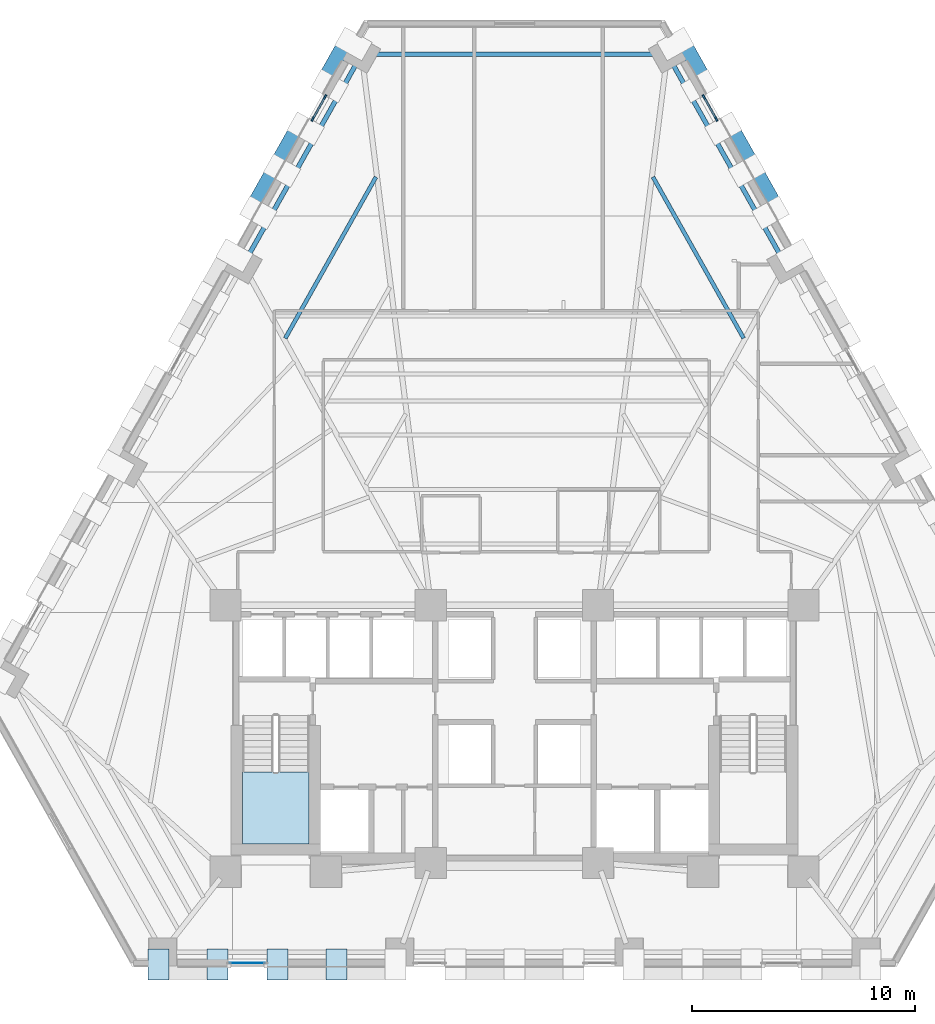
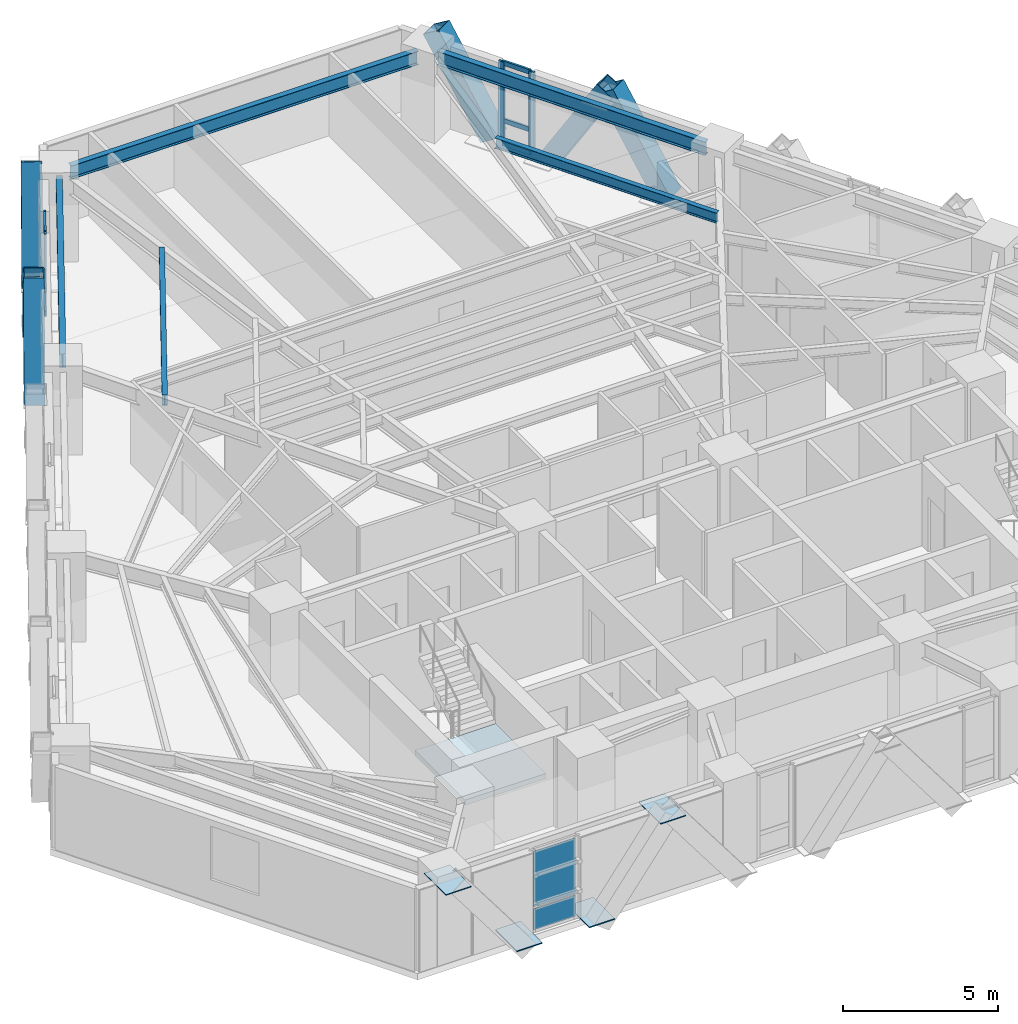
# One storey, part 5 of 13: 16 members, 6 plates, 5 beams, 1 slab, 4 elements without a shape of their own.
"""IFC4 building model written with IfcOpenShell, lengths in metres."""

from ifc_helpers import new_model, si_unit, direction, frame, origin, origin_2d, place, context, subcontext, project, spatial, polyline, rectangle, hollow_rectangle, i_section, outline, extrude, material, layer, layer_set, material_profile, profile_set, type_object, element, aggregate, save


model = new_model("IFC4")

# Units and contexts
model_context = context("Model", 3, precision=1e-05, world=origin(), true_north=direction((0.0, 1.0)))
body_context = subcontext(model_context, "Body", "Model", "MODEL_VIEW")
ifc_project = project(units=[si_unit("LENGTHUNIT", "METRE"), si_unit("AREAUNIT", "SQUARE_METRE"), si_unit("VOLUMEUNIT", "CUBIC_METRE"), si_unit("PLANEANGLEUNIT", "RADIAN"), si_unit("MASSUNIT", "GRAM", prefix="KILO")], contexts=[model_context])

# Site, building, storey
site_placement = place(None, origin())
site = spatial("IfcSite", under=ifc_project, at=site_placement, CompositionType="ELEMENT")
building_placement = place(site_placement, origin())
building = spatial("IfcBuilding", under=site, at=building_placement, Name="Quenlor Broadcast Tower", CompositionType="ELEMENT")
storey_placement = place(building_placement, frame((0.0, 0.0, 34.60009765625)))
storey = spatial("IfcBuildingStorey", under=building, at=storey_placement, Name="L08", CompositionType="ELEMENT", Elevation=34.60009765625)

# Curtain wall, members
ifc_material_1 = material(Name="Architectural Terracotta and Low-E Glazing", Category="masonry")
curtain_wall_type = type_object("IfcCurtainWallType", Name="Unitised Terracotta Curtain Wall System Z1", PredefinedType="NOTDEFINED", material=ifc_material_1)
curtain_wall_1_placement = place(storey_placement, origin())
curtain_wall_1 = element("IfcCurtainWall", 1, at=curtain_wall_1_placement, inside=storey, type_object=curtain_wall_type, Name="L08 Curtain Wall CW1 (L08-NEA-G1)", PredefinedType="NOTDEFINED")
ifc_material_2 = material(Name="Aluminium 6063-T6", Category="aluminium")
ifc_material_profile_1 = material_profile(ifc_material_2, rectangle(XDim=0.080078125, YDim=0.219970703125, at=origin_2d()))
ifc_profile_set_1 = profile_set([ifc_material_profile_1], Name="Aluminium 6063-T6 MULL80x220")
member_type_1 = type_object("IfcMemberType", Name="CW1 Aluminium Mullion MULL_CW1", PredefinedType="MULLION", material=ifc_profile_set_1)
member_1_placement = place(storey_placement, frame((8.49072265625, 17.979248046875, 0.0), z_axis=(0.0, 0.0, 1.0), x_axis=(0.871602077703, 0.490214053392, 0.0)))
member_1 = element("IfcMember", 2, at=member_1_placement, type_object=member_type_1, Name="CW1 mullion 1", PredefinedType="MULLION", context=body_context, shape_type="SweptSolid", body=[
    extrude(rectangle(XDim=0.080078125, YDim=0.219970703125, at=origin_2d()), origin(), (0.0, 0.0, 1.0), 3.25),
])
member_2_placement = place(storey_placement, frame((9.043212890625, 16.99658203125, 0.0), z_axis=(0.0, 0.0, 1.0), x_axis=(0.871602077703, 0.490214053392, 0.0)))
member_2 = element("IfcMember", 3, at=member_2_placement, type_object=member_type_1, Name="CW1 mullion 2", PredefinedType="MULLION", context=body_context, shape_type="SweptSolid", body=[
    extrude(rectangle(XDim=0.080078125, YDim=0.219970703125, at=origin_2d()), origin(), (0.0, 0.0, 1.0), 3.25),
])

curtain_wall_2_placement = place(storey_placement, origin())
curtain_wall_2 = element("IfcCurtainWall", 4, at=curtain_wall_2_placement, inside=storey, type_object=curtain_wall_type, Name="L08 Curtain Wall CW1 (L08-NWC-G1)", PredefinedType="NOTDEFINED")
member_3_placement = place(storey_placement, frame((-9.043212890625, 16.99658203125, 0.0), z_axis=(0.0, 0.0, 1.0), x_axis=(-0.871602077703, 0.490214053392, 0.0)))
member_3 = element("IfcMember", 5, at=member_3_placement, type_object=member_type_1, Name="CW1 mullion 1", PredefinedType="MULLION", context=body_context, shape_type="SweptSolid", body=[
    extrude(rectangle(XDim=0.080078125, YDim=0.219970703125, at=origin_2d()), origin(), (0.0, 0.0, 1.0), 3.25),
])
member_4_placement = place(storey_placement, frame((-8.49072265625, 17.979248046875, 0.0), z_axis=(0.0, 0.0, 1.0), x_axis=(-0.871602077703, 0.490214053392, 0.0)))
member_4 = element("IfcMember", 6, at=member_4_placement, type_object=member_type_1, Name="CW1 mullion 2", PredefinedType="MULLION", context=body_context, shape_type="SweptSolid", body=[
    extrude(rectangle(XDim=0.080078125, YDim=0.219970703125, at=origin_2d()), origin(), (0.0, 0.0, 1.0), 3.25),
])

# Member
ifc_material_3 = material(Name="Aluminium 6063-T6", Category="aluminium")
ifc_material_profile_2 = material_profile(ifc_material_3, rectangle(XDim=0.080078125, YDim=0.179931640625, at=origin_2d()))
ifc_profile_set_2 = profile_set([ifc_material_profile_2], Name="Aluminium 6063-T6 TRAN80x180")
member_type_2 = type_object("IfcMemberType", Name="CW1 Aluminium Transom TRAN_CW1", PredefinedType="USERDEFINED", material=ifc_profile_set_2)
member_5_placement = place(storey_placement, frame((8.51025390625, 17.9443359375, 0.039794921875), z_axis=(0.490228036821, -0.871594212874, 0.0), x_axis=(0.871594212874, 0.490228036821, 0.0)))
member_5 = element("IfcMember", 7, at=member_5_placement, type_object=member_type_2, Name="CW1 transom 1.1", ObjectType="TRANSOM", PredefinedType="USERDEFINED", context=body_context, shape_type="SweptSolid", body=[
    extrude(rectangle(XDim=0.080078125, YDim=0.179931640625, at=origin_2d()), origin(), (0.0, 0.0, 1.0), 1.04736328125),
])

member_6_placement = place(storey_placement, frame((8.51025390625, 17.9443359375, 0.949951171875), z_axis=(0.490228036821, -0.871594212874, 0.0), x_axis=(0.871594212874, 0.490228036821, 0.0)))
member_6 = element("IfcMember", 8, at=member_6_placement, type_object=member_type_2, Name="CW1 transom 1.2", ObjectType="TRANSOM", PredefinedType="USERDEFINED", context=body_context, shape_type="SweptSolid", body=[
    extrude(rectangle(XDim=0.080078125, YDim=0.179931640625, at=origin_2d()), origin(), (0.0, 0.0, 1.0), 1.04736328125),
])

member_7_placement = place(storey_placement, frame((8.51025390625, 17.9443359375, 3.2099609375), z_axis=(0.490228036821, -0.871594212874, 0.0), x_axis=(0.871594212874, 0.490228036821, 0.0)))
member_7 = element("IfcMember", 9, at=member_7_placement, type_object=member_type_2, Name="CW1 transom 1.3", ObjectType="TRANSOM", PredefinedType="USERDEFINED", context=body_context, shape_type="SweptSolid", body=[
    extrude(rectangle(XDim=0.080078125, YDim=0.179931640625, at=origin_2d()), origin(), (0.0, 0.0, 1.0), 1.04736328125),
])

aggregate(curtain_wall_1, [member_1, member_2, member_5, member_6, member_7])

member_8_placement = place(storey_placement, frame((-9.023681640625, 17.031494140625, 0.039794921875), z_axis=(0.490228036821, 0.871594212874, 0.0), x_axis=(-0.871594212874, 0.490228036821, 0.0)))
member_8 = element("IfcMember", 10, at=member_8_placement, type_object=member_type_2, Name="CW1 transom 1.1", ObjectType="TRANSOM", PredefinedType="USERDEFINED", context=body_context, shape_type="SweptSolid", body=[
    extrude(rectangle(XDim=0.080078125, YDim=0.179931640625, at=origin_2d()), origin(), (0.0, 0.0, 1.0), 1.04736328125),
])

member_9_placement = place(storey_placement, frame((-9.023681640625, 17.031494140625, 0.949951171875), z_axis=(0.490228036821, 0.871594212874, 0.0), x_axis=(-0.871594212874, 0.490228036821, 0.0)))
member_9 = element("IfcMember", 11, at=member_9_placement, type_object=member_type_2, Name="CW1 transom 1.2", ObjectType="TRANSOM", PredefinedType="USERDEFINED", context=body_context, shape_type="SweptSolid", body=[
    extrude(rectangle(XDim=0.080078125, YDim=0.179931640625, at=origin_2d()), origin(), (0.0, 0.0, 1.0), 1.04736328125),
])

member_10_placement = place(storey_placement, frame((-9.023681640625, 17.031494140625, 3.2099609375), z_axis=(0.490228036821, 0.871594212874, 0.0), x_axis=(-0.871594212874, 0.490228036821, 0.0)))
member_10 = element("IfcMember", 12, at=member_10_placement, type_object=member_type_2, Name="CW1 transom 1.3", ObjectType="TRANSOM", PredefinedType="USERDEFINED", context=body_context, shape_type="SweptSolid", body=[
    extrude(rectangle(XDim=0.080078125, YDim=0.179931640625, at=origin_2d()), origin(), (0.0, 0.0, 1.0), 1.04736328125),
])

aggregate(curtain_wall_2, [member_3, member_4, member_8, member_9, member_10])

# Members
ifc_material_4 = material(Name="Steel S355", Category="steel")
ifc_material_profile_3 = material_profile(ifc_material_4, hollow_rectangle(XDim=0.679931640625, YDim=0.679931640625, WallThickness=0.034912109375, at=origin_2d()))
ifc_profile_set_3 = profile_set([ifc_material_profile_3], Name="Steel S355 RHS680x680x35")
member_type_3 = type_object("IfcMemberType", Name="Perimeter Diagonal Lattice Brace Z1 Steel S355 RHS680x35", PredefinedType="BRACE", material=ifc_profile_set_3)
for number, where, z_axis, x_axis, name in (
    (13, (9.650390625, 16.722900390625, -0.1201171875), (0.256375341489, -0.45579159737, 0.852364771705), (0.871581609758, 0.490250443683, 0.0), "L08 Perimeter Diamond Lattice NE-C1S"),
    (14, (8.572021484375, 18.64013671875, -0.1201171875), (-0.256375341489, 0.45579159737, 0.852364771705), (-0.871581609758, -0.490250443683, 0.0), "L08 Perimeter Diamond Lattice NE-C1B"),
    (15, (11.768798828125, 12.95703125, -0.1201171875), (-0.256375341489, 0.45579159737, 0.852364771705), (-0.871581609758, -0.490250443683, 0.0), "L08 Perimeter Diamond Lattice NE-C2B"),
    (16, (-11.768798828125, 12.95703125, -0.1201171875), (0.256375341489, 0.45579159737, 0.852364771705), (-0.871581609758, 0.490250443683, 0.0), "L08 Perimeter Diamond Lattice NW-C4S"),
    (17, (-8.572021484375, 18.64013671875, -0.1201171875), (0.256375341489, 0.45579159737, 0.852364771705), (-0.871581609758, 0.490250443683, 0.0), "L08 Perimeter Diamond Lattice NW-C5S"),
    (18, (-9.650390625, 16.722900390625, -0.1201171875), (-0.256375341489, -0.45579159737, 0.852364771705), (0.871581609758, -0.490250443683, 0.0), "L08 Perimeter Diamond Lattice NW-C5B"),
):
    element("IfcMember", number, at=place(storey_placement, frame(where, z_axis=z_axis, x_axis=x_axis)), inside=storey, type_object=member_type_3, Name=name, PredefinedType="BRACE", context=body_context, shape_type="SweptSolid", body=[
        extrude(hollow_rectangle(XDim=0.679931640625, YDim=0.679931640625, WallThickness=0.034912109375, at=origin_2d()), origin(), (0.0, 0.0, 1.0), 4.106201171875),
    ])

# Beams
ifc_material_5 = material(Name="Steel S355", Category="steel")
ifc_material_profile_4 = material_profile(ifc_material_5, i_section(OverallWidth=0.208984375, OverallDepth=0.532958984375, WebThickness=0.01025390625, FlangeThickness=0.015625, FilletRadius=0.013916015625, at=origin_2d()))
ifc_profile_set_4 = profile_set([ifc_material_profile_4], Name="Steel S355 530UB92.4")
beam_type_1 = type_object("IfcBeamType", Name="Perimeter Spandrel Beam Z1 Steel S355 530UB92.4", PredefinedType="SPANDREL", material=ifc_profile_set_4)
beam_1_placement = place(storey_placement, frame((11.962158203125, 10.80810546875, 2.9833984375), z_axis=(-0.490257767622, 0.871577490121, 0.0), x_axis=(-0.871577490121, -0.490257767622, 0.0)))
element("IfcBeam", 19, at=beam_1_placement, inside=storey, type_object=beam_type_1, Name="L08 Spandrel Beam NE3-NE4", PredefinedType="SPANDREL", context=body_context, shape_type="SweptSolid", body=[
    extrude(i_section(OverallWidth=0.208984375, OverallDepth=0.532958984375, WebThickness=0.01025390625, FlangeThickness=0.015625, FilletRadius=0.013916015625, at=origin_2d()), origin(), (0.0, 0.0, 1.0), 10.015380859375),
])
beam_2_placement = place(storey_placement, frame((6.44091796875, 19.894775390625, 2.9833984375), z_axis=(-1.0, 0.0, 0.0), x_axis=(0.0, -1.0, 0.0)))
element("IfcBeam", 20, at=beam_2_placement, inside=storey, type_object=beam_type_1, Name="L08 Spandrel Beam NE4-NW1", PredefinedType="SPANDREL", context=body_context, shape_type="SweptSolid", body=[
    extrude(i_section(OverallWidth=0.208984375, OverallDepth=0.532958984375, WebThickness=0.01025390625, FlangeThickness=0.015625, FilletRadius=0.013916015625, at=origin_2d()), origin(), (0.0, 0.0, 1.0), 12.8818359375),
])
beam_3_placement = place(storey_placement, frame((-7.052001953125, 19.537353515625, 2.9833984375), z_axis=(-0.490257767622, -0.871577490121, 0.0), x_axis=(0.871577490121, -0.490257767622, 0.0)))
element("IfcBeam", 21, at=beam_3_placement, inside=storey, type_object=beam_type_1, Name="L08 Spandrel Beam NW1-NW2", PredefinedType="SPANDREL", context=body_context, shape_type="SweptSolid", body=[
    extrude(i_section(OverallWidth=0.208984375, OverallDepth=0.532958984375, WebThickness=0.01025390625, FlangeThickness=0.015625, FilletRadius=0.013916015625, at=origin_2d()), origin(), (0.0, 0.0, 1.0), 10.015380859375),
])
ifc_material_6 = material(Name="Steel S355", Category="steel")
ifc_material_profile_5 = material_profile(ifc_material_6, i_section(OverallWidth=0.177978515625, OverallDepth=0.406494140625, WebThickness=0.0078125, FlangeThickness=0.0126953125, FilletRadius=0.011474609375, at=origin_2d()))
ifc_profile_set_5 = profile_set([ifc_material_profile_5], Name="Steel S355 410UB59.7")
beam_type_2 = type_object("IfcBeamType", Name="Tower Composite Joist Z1 Steel S355 410UB59.7", PredefinedType="JOIST", material=ifc_profile_set_5)
for number, where, z_axis, x_axis, name in (
    (22, (-6.2080078125, 14.39208984375, 3.046630859375), (-0.490248658014, -0.871582614166, 0.0), (0.871582614166, -0.490248658014, 0.0), "L08 Secondary Composite Joist 27"),
    (23, (6.2080078125, 14.39208984375, 3.046630859375), (0.490248658014, -0.871582614166, 0.0), (0.871582614166, 0.490248658014, 0.0), "L08 Secondary Composite Joist 30"),
):
    element("IfcBeam", number, at=place(storey_placement, frame(where, z_axis=z_axis, x_axis=x_axis)), inside=storey, type_object=beam_type_2, Name=name, PredefinedType="JOIST", context=body_context, shape_type="SweptSolid", body=[
        extrude(i_section(OverallWidth=0.177978515625, OverallDepth=0.406494140625, WebThickness=0.0078125, FlangeThickness=0.0126953125, FilletRadius=0.011474609375, at=origin_2d()), origin(), (0.0, 0.0, 1.0), 8.29150390625),
    ])

# Curtain wall, plates
curtain_wall_3_placement = place(storey_placement, origin())
curtain_wall_3 = element("IfcCurtainWall", 24, at=curtain_wall_3_placement, inside=storey, type_object=curtain_wall_type, Name="L08 Curtain Wall CW1 (L08-SC-G1)", PredefinedType="NOTDEFINED")
ifc_material_7 = material(Name="Double Glazed Low-E Solar Glass", Category="glass")
ifc_layer_1 = layer(ifc_material_7, 0.031982421875)
ifc_layer_set_1 = layer_set([ifc_layer_1], Name="CW1 Double Glazed Vision Panel 32")
plate_type_1 = type_object("IfcPlateType", Name="CW1 Double Glazed Vision Panel 32", PredefinedType="CURTAIN_PANEL", material=ifc_layer_set_1)
plate_1_placement = place(storey_placement, frame((-11.970703125, -20.840087890625, 0.079833984375), z_axis=(0.0, 0.0, 1.0), x_axis=(-1.0, 0.0, 0.0)))
plate_1 = element("IfcPlate", 25, at=plate_1_placement, type_object=plate_type_1, Name="CW1 panel 1.1", PredefinedType="CURTAIN_PANEL", context=body_context, shape_type="SweptSolid", body=[
    extrude(rectangle(XDim=1.568359375, YDim=0.031982421875, at=origin_2d()), origin(), (0.0, 0.0, 1.0), 0.830078125),
])
plate_2_placement = place(storey_placement, frame((-11.970703125, -20.840087890625, 0.98974609375), z_axis=(0.0, 0.0, 1.0), x_axis=(-1.0, 0.0, 0.0)))
plate_2 = element("IfcPlate", 26, at=plate_2_placement, type_object=plate_type_1, Name="CW1 panel 1.2", PredefinedType="CURTAIN_PANEL", context=body_context, shape_type="SweptSolid", body=[
    extrude(rectangle(XDim=1.568359375, YDim=0.031982421875, at=origin_2d()), origin(), (0.0, 0.0, 1.0), 2.179931640625),
])
aggregate(curtain_wall_3, [plate_1, plate_2])

# Stair, slab
ifc_material_8 = material(Name="Precast concrete C40/50", Category="concrete")
stair_type = type_object("IfcStairType", Name="Precast Concrete C40/50 Dogleg Stair H350", PredefinedType="HALF_TURN_STAIR", material=ifc_material_8)
stair_placement = place(storey_placement, origin())
stair = element("IfcStair", 27, at=stair_placement, inside=storey, type_object=stair_type, Name="L08 West Core Fire-Isolated Exit Stair ST-1", PredefinedType="HALF_TURN_STAIR")
ifc_material_9 = material(Name="Precast concrete C40/50", Category="concrete")
ifc_layer_2 = layer(ifc_material_9, 0.199951171875)
ifc_layer_set_2 = layer_set([ifc_layer_2], Name="Precast Concrete C40/50 Stair Landing Slab 200")
slab_type = type_object("IfcSlabType", Name="Precast Concrete C40/50 Stair Landing Slab 200", PredefinedType="LANDING", material=ifc_layer_set_2)
slab_placement = place(storey_placement, frame((0.0, 0.0, 1.5498046875)))
slab = element("IfcSlab", 28, at=slab_placement, type_object=slab_type, Name="ST-1 landing 1", PredefinedType="LANDING", context=body_context, shape_type="SweptSolid", body=[
    extrude(outline(polyline([(-12.199951171875, -12.27001953125), (-12.199951171875, -15.5), (-9.199951171875, -15.5), (-9.199951171875, -12.27001953125), (-12.199951171875, -12.27001953125)])), origin(), (0.0, 0.0, 1.0), 0.2001953125),
])
aggregate(stair, [slab])

# Plates
ifc_material_10 = material(Name="Steel S355", Category="steel")
ifc_layer_3 = layer(ifc_material_10, 0.035888671875)
ifc_layer_set_3 = layer_set([ifc_layer_3], Name="Transfer Truss Steel S355 Gusset Node Plate 1400x950x36")
plate_type_2 = type_object("IfcPlateType", Name="Transfer Truss Steel S355 Gusset Node Plate 1400x950x36", PredefinedType="SHEET", material=ifc_layer_set_3)
for number, where, z_axis, x_axis, name in (
    (29, (-7.98046875, -20.89990234375, 3.18212890625), (0.0, 0.0, 1.0), (0.0, -1.0, 0.0), "L08 Lattice Tie Gusset Node S-T9"),
    (30, (-13.31689453125, -20.89990234375, 0.0419921875), (0.0, 0.0, 1.0), (0.0, -1.0, 0.0), "L08 Lattice Tie Gusset Node S-B11"),
    (31, (-15.9609375, -20.89990234375, 3.18212890625), (0.0, 0.0, 1.0), (0.0, -1.0, 0.0), "L08 Lattice Tie Gusset Node S-T12"),
    (32, (-10.624755859375, -20.89990234375, 0.0419921875), (0.0, 0.0, 1.0), (0.0, -1.0, 0.0), "L08 Lattice Tie Gusset Node S-B10"),
):
    element("IfcPlate", number, at=place(storey_placement, frame(where, z_axis=z_axis, x_axis=x_axis)), inside=storey, type_object=plate_type_2, Name=name, PredefinedType="SHEET", context=body_context, shape_type="SweptSolid", body=[
        extrude(rectangle(XDim=1.39990234375, YDim=0.949951171875, at=origin_2d()), origin(), (0.0, 0.0, 1.0), 0.035888671875),
    ])

save(model, "model.ifc")
